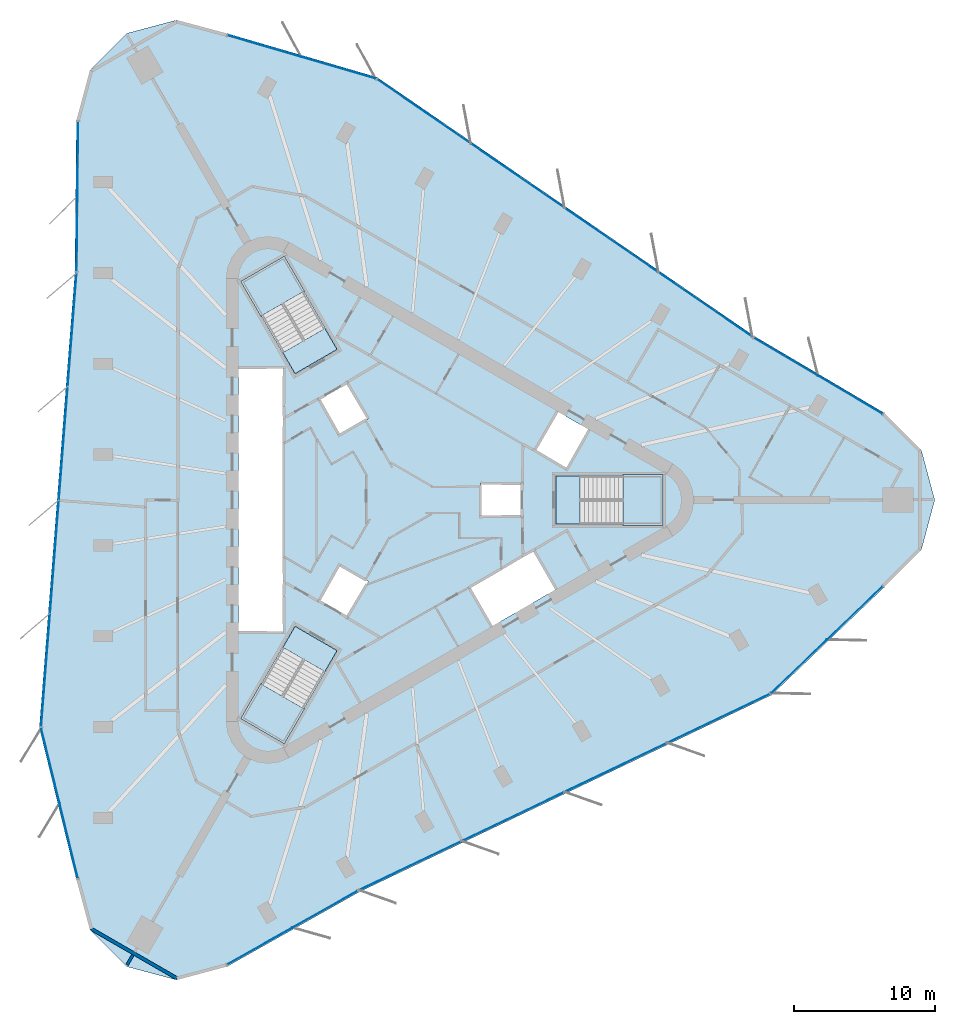
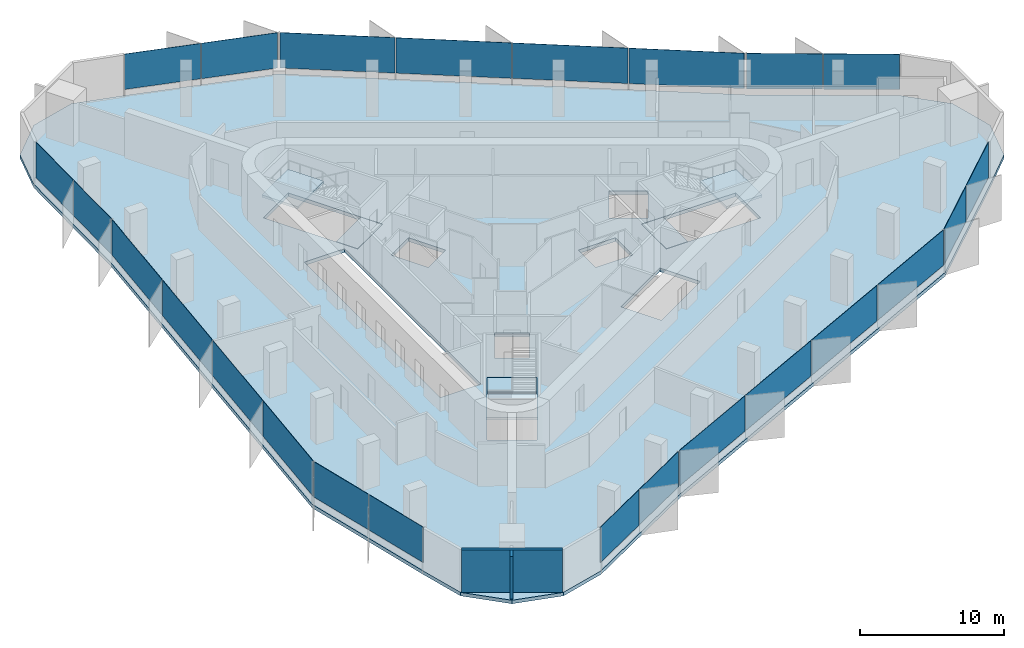
# One storey, part 7 of 14: 24 plates, 7 slabs, 2 walls, 12 elements without a shape of their own.
"""IFC4 building model written with IfcOpenShell, lengths in metres."""

import ifcopenshell
import ifcopenshell.guid

model = None  # the IFC model being written
_history = None  # IfcOwnerHistory: only IFC2X3 demands one
_inside = {}  # id of a spatial element -> (the spatial element, [elements in it])
_under = {}  # id of a project, library or spatial element -> (it, [spatial elements below it])
_declared = {}  # id of a project -> (the project, [libraries it declares])
_typed = {}  # id of a type object -> (the type object, [elements of that type])
_made_of = {}  # id of a material, layer set ... -> (it, [elements and type objects made of it])


def new_model(schema):
    """Start an empty IFC model of exactly this schema.

    Asked for "IFC4X3", IfcOpenShell would pick the latest addendum, in which some entities
    have other attributes; the version numbers below select the first issue.
    IFC2X3 requires an IfcOwnerHistory on every rooted entity: one is made here for all.
    """
    global model, _history
    if schema == "IFC4X3":
        model = ifcopenshell.file(schema_version=(4, 3, 0, 0))
    else:
        model = ifcopenshell.file(schema=schema)
    _inside.clear()
    _under.clear()
    _declared.clear()
    _typed.clear()
    _made_of.clear()
    _history = None
    if model.schema == "IFC2X3":
        org = make("IfcOrganization", Name="unknown")
        user = make(
            "IfcPersonAndOrganization",
            ThePerson=make("IfcPerson", FamilyName="unknown"),
            TheOrganization=org,
        )
        app = make(
            "IfcApplication",
            ApplicationDeveloper=org,
            Version="unknown",
            ApplicationFullName="unknown",
            ApplicationIdentifier="unknown",
        )
        _history = make(
            "IfcOwnerHistory",
            OwningUser=user,
            OwningApplication=app,
            ChangeAction="ADDED",
            CreationDate=0,
        )
    return model


def make(cls, **values):
    """One entity of the class cls with the attributes given. An attribute that is None is left unset."""
    return model.create_entity(
        cls, **{name: value for name, value in values.items() if value is not None}
    )


def rooted(cls, **values):
    """An entity with a GlobalId (a new one), such as an element, a storey or a relation."""
    return make(cls, GlobalId=ifcopenshell.guid.new(), OwnerHistory=_history, **values)


def si_unit(unit_type, name, prefix=None):
    """IfcSIUnit, for example si_unit("LENGTHUNIT", "METRE", prefix="MILLI")."""
    return make("IfcSIUnit", UnitType=unit_type, Prefix=prefix, Name=name)


def assignment(units):
    """IfcUnitAssignment: the units of a project."""
    return None if units is None else make("IfcUnitAssignment", Units=units)


def point(xyz):
    """IfcCartesianPoint."""
    return None if xyz is None else make("IfcCartesianPoint", Coordinates=xyz)


def direction(xyz):
    """IfcDirection."""
    return None if xyz is None else make("IfcDirection", DirectionRatios=xyz)


def frame(location, z_axis=None, x_axis=None):
    """IfcAxis2Placement3D, a coordinate frame: its origin and axes. An axis left out is left unset."""
    return make(
        "IfcAxis2Placement3D",
        Location=point(location),
        Axis=direction(z_axis),
        RefDirection=direction(x_axis),
    )


def frame_2d(location, x_axis=None):
    """IfcAxis2Placement2D, a coordinate frame in the plane: its origin and x axis."""
    return make(
        "IfcAxis2Placement2D", Location=point(location), RefDirection=direction(x_axis)
    )


def origin():
    """The frame at (0, 0, 0) with its axes left unset."""
    return frame((0.0, 0.0, 0.0))


def origin_2d():
    """The frame at (0, 0) in the plane with its x axis left unset."""
    return frame_2d((0.0, 0.0))


def place(relative_to, where):
    """IfcLocalPlacement: puts the frame where relative to a parent placement (None: the world)."""
    return make(
        "IfcLocalPlacement", PlacementRelTo=relative_to, RelativePlacement=where
    )


def context(
    kind, dimensions, precision=None, world=None, true_north=None, identifier=None
):
    """IfcGeometricRepresentationContext, for example the 3D "Model" context."""
    return make(
        "IfcGeometricRepresentationContext",
        ContextIdentifier=identifier,
        ContextType=kind,
        CoordinateSpaceDimension=dimensions,
        Precision=precision,
        WorldCoordinateSystem=world,
        TrueNorth=true_north,
    )


def subcontext(parent, identifier, kind, view, scale=None):
    """IfcGeometricRepresentationSubContext, for example "Body" below "Model"."""
    return make(
        "IfcGeometricRepresentationSubContext",
        ContextIdentifier=identifier,
        ContextType=kind,
        ParentContext=parent,
        TargetScale=scale,
        TargetView=view,
    )


def project(units=None, contexts=None):
    """IfcProject with its units and contexts."""
    return rooted(
        "IfcProject",
        Name="project",
        RepresentationContexts=contexts,
        UnitsInContext=assignment(units),
    )


def spatial(cls, under=None, at=None, **own):
    """A site, building, storey or space (cls), placed at a placement, below another one or the project."""
    s = rooted(cls, ObjectPlacement=at, **own)
    if under is not None:
        _under.setdefault(under.id(), (under, []))[1].append(s)
    return s


def polyline(points):
    """IfcPolyline through the points."""
    return make("IfcPolyline", Points=[point(p) for p in points])


def profile(cls, at=None, kind="AREA", **sizes):
    """A parametric profile (cls). Its sizes go by their IFC names, for example OverallWidth=200.0."""
    return make(cls, ProfileType=kind, Position=at, **sizes)


def rectangle(**sizes):
    """IfcRectangleProfileDef."""
    return profile("IfcRectangleProfileDef", **sizes)


def outline(outer, holes=None, kind="AREA"):
    """IfcArbitraryClosedProfileDef: a profile drawn as a closed curve; with holes, ...WithVoids."""
    if holes is None:
        return make("IfcArbitraryClosedProfileDef", ProfileType=kind, OuterCurve=outer)
    return make(
        "IfcArbitraryProfileDefWithVoids",
        ProfileType=kind,
        OuterCurve=outer,
        InnerCurves=holes,
    )


def extrude(swept, where, along, depth):
    """IfcExtrudedAreaSolid: the profile swept, set in the frame where, extruded along a direction by depth."""
    return make(
        "IfcExtrudedAreaSolid",
        SweptArea=swept,
        Position=where,
        ExtrudedDirection=direction(along),
        Depth=depth,
    )


def shape(context_of_items, identifier, shape_type, items):
    """IfcShapeRepresentation: the items that make up one representation, for example the "Body"."""
    return make(
        "IfcShapeRepresentation",
        ContextOfItems=context_of_items,
        RepresentationIdentifier=identifier,
        RepresentationType=shape_type,
        Items=items,
    )


def material(Name=None, Category=None):
    """IfcMaterial."""
    return make("IfcMaterial", Name=Name, Category=Category)


def layer(
    of_material, thickness, ventilated=None, Name=None, Category=None, Priority=None
):
    """IfcMaterialLayer: one layer of a wall or slab, of a material (None: an air gap)."""
    return make(
        "IfcMaterialLayer",
        Material=of_material,
        LayerThickness=thickness,
        IsVentilated=ventilated,
        Name=Name,
        Category=Category,
        Priority=Priority,
    )


def layer_set(layers, Name=None):
    """IfcMaterialLayerSet."""
    return make("IfcMaterialLayerSet", MaterialLayers=layers, LayerSetName=Name)


def made_of(thing, what):
    """Note that an element or type object is made of a material, layer set ...; save() writes the relation."""
    if what is not None:
        _made_of.setdefault(what.id(), (what, []))[1].append(thing)
    return thing


def type_object(cls, material=None, **own):
    """A type object (cls), such as IfcWallType, which elements share."""
    return made_of(rooted(cls, **own), material)


def element(
    cls,
    number,
    at=None,
    inside=None,
    cuts=None,
    type_object=None,
    material=None,
    context=None,
    identifier="Body",
    shape_type=None,
    held_by="IfcProductDefinitionShape",
    body=None,
    shapes=None,
    **own,
):
    """One element of the class cls, such as IfcWall. Its Tag is "e" and its number.

    at: its placement. inside: the storey or other place that contains it. cuts: it is an
    opening in that element (IfcRelVoidsElement). A single representation is given by context,
    identifier, shape_type and body (its items); several are given by shapes. held_by: the class
    of the entity that holds the representations. save() writes the other relations.
    """
    e = rooted(cls, Tag="e%d" % number, ObjectPlacement=at, **own)
    if body is not None:
        shapes = [shape(context, identifier, shape_type, body)]
    if shapes is not None:
        e.Representation = make(held_by, Representations=shapes)
    if inside is not None:
        _inside.setdefault(inside.id(), (inside, []))[1].append(e)
    if cuts is not None:
        rooted(
            "IfcRelVoidsElement", RelatingBuildingElement=cuts, RelatedOpeningElement=e
        )
    if type_object is not None:
        _typed.setdefault(type_object.id(), (type_object, []))[1].append(e)
    return made_of(e, material)


def aggregate(whole, parts):
    """IfcRelAggregates: a whole, such as a stair, and the parts it consists of."""
    return rooted("IfcRelAggregates", RelatingObject=whole, RelatedObjects=parts)


def save(model, path):
    """Write the relations noted so far, then the file.

    IfcRelAggregates (storeys below a building ...), IfcRelContainedInSpatialStructure (elements
    in a storey), IfcRelDefinesByType, IfcRelAssociatesMaterial and IfcRelDeclares: one each for
    every whole, place, type object, material and project.
    """
    for whole, parts in _under.values():
        aggregate(whole, parts)
    for where, things in _inside.values():
        rooted(
            "IfcRelContainedInSpatialStructure",
            RelatedElements=things,
            RelatingStructure=where,
        )
    for kind, things in _typed.values():
        rooted("IfcRelDefinesByType", RelatedObjects=things, RelatingType=kind)
    for what, things in _made_of.values():
        rooted("IfcRelAssociatesMaterial", RelatedObjects=things, RelatingMaterial=what)
    for by, libraries in _declared.values():
        rooted("IfcRelDeclares", RelatingContext=by, RelatedDefinitions=libraries)
    model.write(path)


model = new_model("IFC4")

# Units and contexts
model_context = context("Model", 3, precision=1e-05, world=origin(), true_north=direction((0.0, 1.0)))
body_context = subcontext(model_context, "Body", "Model", "MODEL_VIEW")
ifc_project = project(units=[si_unit("LENGTHUNIT", "METRE"), si_unit("AREAUNIT", "SQUARE_METRE"), si_unit("VOLUMEUNIT", "CUBIC_METRE"), si_unit("PLANEANGLEUNIT", "RADIAN"), si_unit("MASSUNIT", "GRAM", prefix="KILO")], contexts=[model_context])

# Site, building, storey
site_placement = place(None, origin())
site = spatial("IfcSite", under=ifc_project, at=site_placement, CompositionType="ELEMENT")
building_placement = place(site_placement, origin())
building = spatial("IfcBuilding", under=site, at=building_placement, Name="Tanit Gate Tower", CompositionType="ELEMENT")
storey_placement = place(building_placement, frame((0.0, 0.0, 306.5)))
storey = spatial("IfcBuildingStorey", under=building, at=storey_placement, Name="L68", CompositionType="ELEMENT", Elevation=306.5)

# Slab
ifc_material_1 = material(Name="Concrete C35/45", Category="concrete")
ifc_layer_1 = layer(ifc_material_1, 0.300048828125)
ifc_layer_set_1 = layer_set([ifc_layer_1], Name="FLOOR SLAB 300 C35/45")
slab_type_1 = type_object("IfcSlabType", Name="FLOOR SLAB 300 C35/45", PredefinedType="FLOOR", material=ifc_layer_set_1)
slab_1_placement = place(storey_placement, frame((0.0, 0.0, -0.300048828125)))
element("IfcSlab", 1, at=slab_1_placement, inside=storey, type_object=slab_type_1, Name="FLOOR SLAB L68", PredefinedType="FLOOR", context=body_context, shape_type="SweptSolid", body=[
    extrude(outline(polyline([(34.760498046875, 6.18359375), (37.3740234375, 3.570068359375), (38.330810546875, 0.0), (37.3740234375, -3.570068359375), (34.760498046875, -6.18359375), (26.7236328125, -13.87255859375), (-2.61328125, -27.887939453125), (-12.025146484375, -33.1953125), (-15.59521484375, -34.152099609375), (-19.165283203125, -33.1953125), (-21.77880859375, -30.581787109375), (-22.735595703125, -27.01171875), (-25.3759765625, -16.20703125), (-22.84521484375, 16.20703125), (-22.735595703125, 27.01171875), (-21.77880859375, 30.581787109375), (-19.165283203125, 33.1953125), (-15.59521484375, 34.152099609375), (-12.025146484375, 33.1953125), (-1.347900390625, 30.07958984375), (25.458251953125, 11.680908203125), (34.760498046875, 6.18359375)]), holes=[polyline([(11.3701171875, 1.72998046875), (18.929931640625, 1.72998046875), (18.929931640625, -1.72998046875), (11.3701171875, -1.72998046875), (11.3701171875, 1.72998046875)]), polyline([(12.158935546875, 2.159912109375), (9.82080078125, 3.510009765625), (11.44580078125, 6.324462890625), (13.783935546875, 4.974609375), (12.158935546875, 2.159912109375)]), polyline([(11.44580078125, -6.324462890625), (6.76904296875, -9.0244140625), (5.14404296875, -6.2099609375), (9.82080078125, -3.510009765625), (11.44580078125, -6.324462890625)]), polyline([(6.0, 1.199951171875), (9.0, 1.199951171875), (9.0, -1.199951171875), (6.0, -1.199951171875), (6.0, 1.199951171875)]), polyline([(-4.039306640625, 4.59619140625), (-5.539306640625, 7.194091796875), (-3.460693359375, 8.394287109375), (-1.960693359375, 5.796142578125), (-4.039306640625, 4.59619140625)]), polyline([(-1.960693359375, -5.796142578125), (-3.460693359375, -8.394287109375), (-5.539306640625, -7.194091796875), (-4.039306640625, -4.59619140625), (-1.960693359375, -5.796142578125)]), polyline([(-7.18310546875, 8.981689453125), (-10.963134765625, 15.52880859375), (-7.966796875, 17.2587890625), (-4.186767578125, 10.711669921875), (-7.18310546875, 8.981689453125)]), polyline([(-4.186767578125, -10.711669921875), (-7.966796875, -17.2587890625), (-10.963134765625, -15.52880859375), (-7.18310546875, -8.981689453125), (-4.186767578125, -10.711669921875)]), polyline([(-11.199951171875, -9.449951171875), (-11.199951171875, 9.449951171875), (-7.949951171875, 9.449951171875), (-7.949951171875, -9.449951171875), (-11.199951171875, -9.449951171875)])]), origin(), (0.0, 0.0, 1.0), 0.300048828125),
])

# Curtain wall, plates
ifc_material_2 = material(Name="Aluminium bronze anodised and glass", Category="aluminium")
curtain_wall_type = type_object("IfcCurtainWallType", Name="Curtain wall typical high", PredefinedType="NOTDEFINED", material=ifc_material_2)
curtain_wall_1_placement = place(storey_placement, origin())
curtain_wall_1 = element("IfcCurtainWall", 2, at=curtain_wall_1_placement, inside=storey, type_object=curtain_wall_type, Name="Curtain wall L68 NE1", PredefinedType="NOTDEFINED")
ifc_material_3 = material(Name="Glass tinted", Category="glass")
ifc_layer_2 = layer(ifc_material_3, 0.028076171875)
ifc_layer_set_2 = layer_set([ifc_layer_2], Name="Glass panel 28 typical high")
plate_type = type_object("IfcPlateType", Name="Glass panel 28 typical high", PredefinedType="CURTAIN_PANEL", material=ifc_layer_set_2)
plate_1_placement = place(storey_placement, frame((32.34619140625, 7.47119140625, 0.60009765625), z_axis=(0.0, 0.0, 1.0), x_axis=(-0.860908042644, 0.508760594103, 0.0)))
plate_1 = element("IfcPlate", 3, at=plate_1_placement, type_object=plate_type, Name="Glass panel L68 NE1.1", PredefinedType="CURTAIN_PANEL", context=body_context, shape_type="SweptSolid", body=[
    extrude(rectangle(XDim=5.277099609375, YDim=0.028076171875, at=origin_2d()), origin(), (0.0, 0.0, 1.0), 3.0),
])
plate_2_placement = place(storey_placement, frame((27.734130859375, 10.196533203125, 0.60009765625), z_axis=(0.0, 0.0, 1.0), x_axis=(-0.860908042644, 0.508760594103, 0.0)))
plate_2 = element("IfcPlate", 4, at=plate_2_placement, type_object=plate_type, Name="Glass panel L68 NE1.2", PredefinedType="CURTAIN_PANEL", context=body_context, shape_type="SweptSolid", body=[
    extrude(rectangle(XDim=5.277099609375, YDim=0.028076171875, at=origin_2d()), origin(), (0.0, 0.0, 1.0), 3.0),
])
aggregate(curtain_wall_1, [plate_1, plate_2])

curtain_wall_2_placement = place(storey_placement, origin())
curtain_wall_2 = element("IfcCurtainWall", 5, at=curtain_wall_2_placement, inside=storey, type_object=curtain_wall_type, Name="Curtain wall L68 NE2", PredefinedType="NOTDEFINED")
plate_3_placement = place(storey_placement, frame((22.019775390625, 13.8955078125, 0.60009765625), z_axis=(0.0, 0.0, 1.0), x_axis=(-0.824478578624, 0.56589316429, 0.0)))
plate_3 = element("IfcPlate", 6, at=plate_3_placement, type_object=plate_type, Name="Glass panel L68 NE2.1", PredefinedType="CURTAIN_PANEL", context=body_context, shape_type="SweptSolid", body=[
    extrude(rectangle(XDim=8.0244140625, YDim=0.028076171875, at=origin_2d()), origin(), (0.0, 0.0, 1.0), 3.0),
])
plate_4_placement = place(storey_placement, frame((15.337890625, 18.481689453125, 0.60009765625), z_axis=(0.0, 0.0, 1.0), x_axis=(-0.824478578624, 0.56589316429, 0.0)))
plate_4 = element("IfcPlate", 7, at=plate_4_placement, type_object=plate_type, Name="Glass panel L68 NE2.2", PredefinedType="CURTAIN_PANEL", context=body_context, shape_type="SweptSolid", body=[
    extrude(rectangle(XDim=8.0244140625, YDim=0.028076171875, at=origin_2d()), origin(), (0.0, 0.0, 1.0), 3.0),
])
plate_5_placement = place(storey_placement, frame((8.656005859375, 23.06787109375, 0.60009765625), z_axis=(0.0, 0.0, 1.0), x_axis=(-0.824478578624, 0.56589316429, 0.0)))
plate_5 = element("IfcPlate", 8, at=plate_5_placement, type_object=plate_type, Name="Glass panel L68 NE2.3", PredefinedType="CURTAIN_PANEL", context=body_context, shape_type="SweptSolid", body=[
    extrude(rectangle(XDim=8.0244140625, YDim=0.028076171875, at=origin_2d()), origin(), (0.0, 0.0, 1.0), 3.0),
])
plate_6_placement = place(storey_placement, frame((1.97412109375, 27.654052734375, 0.60009765625), z_axis=(0.0, 0.0, 1.0), x_axis=(-0.824478578624, 0.56589316429, 0.0)))
plate_6 = element("IfcPlate", 9, at=plate_6_placement, type_object=plate_type, Name="Glass panel L68 NE2.4", PredefinedType="CURTAIN_PANEL", context=body_context, shape_type="SweptSolid", body=[
    extrude(rectangle(XDim=8.0244140625, YDim=0.028076171875, at=origin_2d()), origin(), (0.0, 0.0, 1.0), 3.0),
])
aggregate(curtain_wall_2, [plate_3, plate_4, plate_5, plate_6])

curtain_wall_3_placement = place(storey_placement, origin())
curtain_wall_3 = element("IfcCurtainWall", 10, at=curtain_wall_3_placement, inside=storey, type_object=curtain_wall_type, Name="Curtain wall L68 NE3", PredefinedType="NOTDEFINED")
plate_7_placement = place(storey_placement, frame((-4.08349609375, 30.7529296875, 0.60009765625), z_axis=(0.0, 0.0, 1.0), x_axis=(-0.959963733303, 0.280124313015, 0.0)))
plate_7 = element("IfcPlate", 11, at=plate_7_placement, type_object=plate_type, Name="Glass panel L68 NE3.1", PredefinedType="CURTAIN_PANEL", context=body_context, shape_type="SweptSolid", body=[
    extrude(rectangle(XDim=5.43115234375, YDim=0.028076171875, at=origin_2d()), origin(), (0.0, 0.0, 1.0), 3.0),
])
plate_8_placement = place(storey_placement, frame((-9.373779296875, 32.296630859375, 0.60009765625), z_axis=(0.0, 0.0, 1.0), x_axis=(-0.959963733303, 0.280124313015, 0.0)))
plate_8 = element("IfcPlate", 12, at=plate_8_placement, type_object=plate_type, Name="Glass panel L68 NE3.2", PredefinedType="CURTAIN_PANEL", context=body_context, shape_type="SweptSolid", body=[
    extrude(rectangle(XDim=5.430908203125, YDim=0.028076171875, at=origin_2d()), origin(), (0.0, 0.0, 1.0), 3.0),
])
aggregate(curtain_wall_3, [plate_7, plate_8])

curtain_wall_4_placement = place(storey_placement, origin())
curtain_wall_4 = element("IfcCurtainWall", 13, at=curtain_wall_4_placement, inside=storey, type_object=curtain_wall_type, Name="Curtain wall L68 W1", PredefinedType="NOTDEFINED")
plate_9_placement = place(storey_placement, frame((-22.643310546875, 24.277099609375, 0.60009765625), z_axis=(0.0, 0.0, 1.0), x_axis=(-0.010145577616, -0.999948532303, 0.0)))
plate_9 = element("IfcPlate", 14, at=plate_9_placement, type_object=plate_type, Name="Glass panel L68 W1.1", PredefinedType="CURTAIN_PANEL", context=body_context, shape_type="SweptSolid", body=[
    extrude(rectangle(XDim=5.277099609375, YDim=0.028076171875, at=origin_2d()), origin(), (0.0, 0.0, 1.0), 3.0),
])
plate_10_placement = place(storey_placement, frame((-22.697509765625, 18.920166015625, 0.60009765625), z_axis=(0.0, 0.0, 1.0), x_axis=(-0.010145577616, -0.999948532303, 0.0)))
plate_10 = element("IfcPlate", 15, at=plate_10_placement, type_object=plate_type, Name="Glass panel L68 W1.2", PredefinedType="CURTAIN_PANEL", context=body_context, shape_type="SweptSolid", body=[
    extrude(rectangle(XDim=5.277099609375, YDim=0.028076171875, at=origin_2d()), origin(), (0.0, 0.0, 1.0), 3.0),
])
aggregate(curtain_wall_4, [plate_9, plate_10])

curtain_wall_5_placement = place(storey_placement, origin())
curtain_wall_5 = element("IfcCurtainWall", 16, at=curtain_wall_5_placement, inside=storey, type_object=curtain_wall_type, Name="Curtain wall L68 W2", PredefinedType="NOTDEFINED")
plate_11_placement = place(storey_placement, frame((-23.043701171875, 12.1220703125, 0.60009765625), z_axis=(0.0, 0.0, 1.0), x_axis=(-0.077838566791, -0.996965976109, 0.0)))
plate_11 = element("IfcPlate", 17, at=plate_11_placement, type_object=plate_type, Name="Glass panel L68 W2.1", PredefinedType="CURTAIN_PANEL", context=body_context, shape_type="SweptSolid", body=[
    extrude(rectangle(XDim=8.0244140625, YDim=0.028076171875, at=origin_2d()), origin(), (0.0, 0.0, 1.0), 3.0),
])
plate_12_placement = place(storey_placement, frame((-23.674560546875, 4.042236328125, 0.60009765625), z_axis=(0.0, 0.0, 1.0), x_axis=(-0.077838566791, -0.996965976109, 0.0)))
plate_12 = element("IfcPlate", 18, at=plate_12_placement, type_object=plate_type, Name="Glass panel L68 W2.2", PredefinedType="CURTAIN_PANEL", context=body_context, shape_type="SweptSolid", body=[
    extrude(rectangle(XDim=8.0244140625, YDim=0.028076171875, at=origin_2d()), origin(), (0.0, 0.0, 1.0), 3.0),
])
plate_13_placement = place(storey_placement, frame((-24.305419921875, -4.03759765625, 0.60009765625), z_axis=(0.0, 0.0, 1.0), x_axis=(-0.077838566791, -0.996965976109, 0.0)))
plate_13 = element("IfcPlate", 19, at=plate_13_placement, type_object=plate_type, Name="Glass panel L68 W2.3", PredefinedType="CURTAIN_PANEL", context=body_context, shape_type="SweptSolid", body=[
    extrude(rectangle(XDim=8.0244140625, YDim=0.028076171875, at=origin_2d()), origin(), (0.0, 0.0, 1.0), 3.0),
])
plate_14_placement = place(storey_placement, frame((-24.936279296875, -12.117431640625, 0.60009765625), z_axis=(0.0, 0.0, 1.0), x_axis=(-0.077838566791, -0.996965976109, 0.0)))
plate_14 = element("IfcPlate", 20, at=plate_14_placement, type_object=plate_type, Name="Glass panel L68 W2.4", PredefinedType="CURTAIN_PANEL", context=body_context, shape_type="SweptSolid", body=[
    extrude(rectangle(XDim=8.0244140625, YDim=0.028076171875, at=origin_2d()), origin(), (0.0, 0.0, 1.0), 3.0),
])
aggregate(curtain_wall_5, [plate_11, plate_12, plate_13, plate_14])

curtain_wall_6_placement = place(storey_placement, origin())
curtain_wall_6 = element("IfcCurtainWall", 21, at=curtain_wall_6_placement, inside=storey, type_object=curtain_wall_type, Name="Curtain wall L68 W3", PredefinedType="NOTDEFINED")
plate_15_placement = place(storey_placement, frame((-24.591064453125, -18.912841796875, 0.60009765625), z_axis=(0.0, 0.0, 1.0), x_axis=(0.237387095363, -0.97141513626, 0.0)))
plate_15 = element("IfcPlate", 22, at=plate_15_placement, type_object=plate_type, Name="Glass panel L68 W3.1", PredefinedType="CURTAIN_PANEL", context=body_context, shape_type="SweptSolid", body=[
    extrude(rectangle(XDim=5.43115234375, YDim=0.028076171875, at=origin_2d()), origin(), (0.0, 0.0, 1.0), 3.0),
])
plate_16_placement = place(storey_placement, frame((-23.282958984375, -24.266357421875, 0.60009765625), z_axis=(0.0, 0.0, 1.0), x_axis=(0.237387095363, -0.97141513626, 0.0)))
plate_16 = element("IfcPlate", 23, at=plate_16_placement, type_object=plate_type, Name="Glass panel L68 W3.2", PredefinedType="CURTAIN_PANEL", context=body_context, shape_type="SweptSolid", body=[
    extrude(rectangle(XDim=5.430908203125, YDim=0.028076171875, at=origin_2d()), origin(), (0.0, 0.0, 1.0), 3.0),
])
aggregate(curtain_wall_6, [plate_15, plate_16])

curtain_wall_7_placement = place(storey_placement, origin())
curtain_wall_7 = element("IfcCurtainWall", 24, at=curtain_wall_7_placement, inside=storey, type_object=curtain_wall_type, Name="Curtain wall L68 SE1", PredefinedType="NOTDEFINED")
plate_17_placement = place(storey_placement, frame((-9.702880859375, -31.748046875, 0.60009765625), z_axis=(0.0, 0.0, 1.0), x_axis=(0.871053620259, 0.4911879382, 0.0)))
plate_17 = element("IfcPlate", 25, at=plate_17_placement, type_object=plate_type, Name="Glass panel L68 SE1.1", PredefinedType="CURTAIN_PANEL", context=body_context, shape_type="SweptSolid", body=[
    extrude(rectangle(XDim=5.277099609375, YDim=0.028076171875, at=origin_2d()), origin(), (0.0, 0.0, 1.0), 3.0),
])
plate_18_placement = place(storey_placement, frame((-5.03662109375, -29.11669921875, 0.60009765625), z_axis=(0.0, 0.0, 1.0), x_axis=(0.871053620259, 0.4911879382, 0.0)))
plate_18 = element("IfcPlate", 26, at=plate_18_placement, type_object=plate_type, Name="Glass panel L68 SE1.2", PredefinedType="CURTAIN_PANEL", context=body_context, shape_type="SweptSolid", body=[
    extrude(rectangle(XDim=5.277099609375, YDim=0.028076171875, at=origin_2d()), origin(), (0.0, 0.0, 1.0), 3.0),
])
aggregate(curtain_wall_7, [plate_17, plate_18])

curtain_wall_8_placement = place(storey_placement, origin())
curtain_wall_8 = element("IfcCurtainWall", 27, at=curtain_wall_8_placement, inside=storey, type_object=curtain_wall_type, Name="Curtain wall L68 SE2", PredefinedType="NOTDEFINED")
plate_19_placement = place(storey_placement, frame((1.02392578125, -26.017333984375, 0.60009765625), z_axis=(0.0, 0.0, 1.0), x_axis=(0.902317145415, 0.431072811819, 0.0)))
plate_19 = element("IfcPlate", 28, at=plate_19_placement, type_object=plate_type, Name="Glass panel L68 SE2.1", PredefinedType="CURTAIN_PANEL", context=body_context, shape_type="SweptSolid", body=[
    extrude(rectangle(XDim=8.0244140625, YDim=0.028076171875, at=origin_2d()), origin(), (0.0, 0.0, 1.0), 3.0),
])
plate_20_placement = place(storey_placement, frame((8.336669921875, -22.52392578125, 0.60009765625), z_axis=(0.0, 0.0, 1.0), x_axis=(0.902317145415, 0.431072811819, 0.0)))
plate_20 = element("IfcPlate", 29, at=plate_20_placement, type_object=plate_type, Name="Glass panel L68 SE2.2", PredefinedType="CURTAIN_PANEL", context=body_context, shape_type="SweptSolid", body=[
    extrude(rectangle(XDim=8.0244140625, YDim=0.028076171875, at=origin_2d()), origin(), (0.0, 0.0, 1.0), 3.0),
])
plate_21_placement = place(storey_placement, frame((15.6494140625, -19.0302734375, 0.60009765625), z_axis=(0.0, 0.0, 1.0), x_axis=(0.902317145415, 0.431072811819, 0.0)))
plate_21 = element("IfcPlate", 30, at=plate_21_placement, type_object=plate_type, Name="Glass panel L68 SE2.3", PredefinedType="CURTAIN_PANEL", context=body_context, shape_type="SweptSolid", body=[
    extrude(rectangle(XDim=8.0244140625, YDim=0.028076171875, at=origin_2d()), origin(), (0.0, 0.0, 1.0), 3.0),
])
plate_22_placement = place(storey_placement, frame((22.962158203125, -15.53662109375, 0.60009765625), z_axis=(0.0, 0.0, 1.0), x_axis=(0.902317145415, 0.431072811819, 0.0)))
plate_22 = element("IfcPlate", 31, at=plate_22_placement, type_object=plate_type, Name="Glass panel L68 SE2.4", PredefinedType="CURTAIN_PANEL", context=body_context, shape_type="SweptSolid", body=[
    extrude(rectangle(XDim=8.0244140625, YDim=0.028076171875, at=origin_2d()), origin(), (0.0, 0.0, 1.0), 3.0),
])
aggregate(curtain_wall_8, [plate_19, plate_20, plate_21, plate_22])

curtain_wall_9_placement = place(storey_placement, origin())
curtain_wall_9 = element("IfcCurtainWall", 32, at=curtain_wall_9_placement, inside=storey, type_object=curtain_wall_type, Name="Curtain wall L68 SE3", PredefinedType="NOTDEFINED")
plate_23_placement = place(storey_placement, frame((28.674560546875, -11.840087890625, 0.60009765625), z_axis=(0.0, 0.0, 1.0), x_axis=(0.72257663794, 0.691290823245, 0.0)))
plate_23 = element("IfcPlate", 33, at=plate_23_placement, type_object=plate_type, Name="Glass panel L68 SE3.1", PredefinedType="CURTAIN_PANEL", context=body_context, shape_type="SweptSolid", body=[
    extrude(rectangle(XDim=5.43115234375, YDim=0.028076171875, at=origin_2d()), origin(), (0.0, 0.0, 1.0), 3.0),
])
plate_24_placement = place(storey_placement, frame((32.65673828125, -8.0302734375, 0.60009765625), z_axis=(0.0, 0.0, 1.0), x_axis=(0.72257663794, 0.691290823245, 0.0)))
plate_24 = element("IfcPlate", 34, at=plate_24_placement, type_object=plate_type, Name="Glass panel L68 SE3.2", PredefinedType="CURTAIN_PANEL", context=body_context, shape_type="SweptSolid", body=[
    extrude(rectangle(XDim=5.430908203125, YDim=0.028076171875, at=origin_2d()), origin(), (0.0, 0.0, 1.0), 3.0),
])
aggregate(curtain_wall_9, [plate_23, plate_24])

# Stair, slab
ifc_material_4 = material(Name="Concrete C40/50", Category="concrete")
stair_type = type_object("IfcStairType", Name="INT-STAIR-EXIT", PredefinedType="HALF_TURN_STAIR", material=ifc_material_4)
stair_1_placement = place(storey_placement, origin())
stair_1 = element("IfcStair", 35, at=stair_1_placement, inside=storey, type_object=stair_type, Name="L68 STAIR S1", PredefinedType="HALF_TURN_STAIR")
ifc_material_5 = material(Name="Concrete C40/50", Category="concrete")
ifc_layer_3 = layer(ifc_material_5, 0.199951171875)
ifc_layer_set_3 = layer_set([ifc_layer_3], Name="INT-STAIR-LANDING")
slab_type_2 = type_object("IfcSlabType", Name="INT-STAIR-LANDING", PredefinedType="LANDING", material=ifc_layer_set_3)
slab_2_placement = place(storey_placement, frame((0.0, 0.0, 1.75)))
slab_2 = element("IfcSlab", 36, at=slab_2_placement, type_object=slab_type_2, Name="S1 landing 1", PredefinedType="LANDING", context=body_context, shape_type="SweptSolid", body=[
    extrude(outline(polyline([(16.135986328125, -1.800048828125), (19.0, -1.800048828125), (19.0, 1.800048828125), (16.135986328125, 1.800048828125), (16.135986328125, -1.800048828125)])), origin(), (0.0, 0.0, 1.0), 0.199951171875),
])
aggregate(stair_1, [slab_2])

# Slab
slab_3_placement = place(storey_placement, frame((0.0, 0.0, -0.199951171875)))
element("IfcSlab", 37, at=slab_3_placement, inside=storey, type_object=slab_type_2, Name="S1 floor landing", PredefinedType="LANDING", context=body_context, shape_type="SweptSolid", body=[
    extrude(outline(polyline([(11.3798828125, -1.719970703125), (13.10498046875, -1.719970703125), (13.10498046875, 1.719970703125), (11.3798828125, 1.719970703125), (11.3798828125, -1.719970703125)])), origin(), (0.0, 0.0, 1.0), 0.199951171875),
])

# Stair, slab
stair_2_placement = place(storey_placement, origin())
stair_2 = element("IfcStair", 38, at=stair_2_placement, inside=storey, type_object=stair_type, Name="L68 STAIR S2", PredefinedType="HALF_TURN_STAIR")
slab_4_placement = place(storey_placement, frame((0.0, 0.0, 1.75)))
slab_4 = element("IfcSlab", 39, at=slab_4_placement, type_object=slab_type_2, Name="S2 landing 1", PredefinedType="LANDING", context=body_context, shape_type="SweptSolid", body=[
    extrude(outline(polyline([(-6.5078125, 14.871826171875), (-7.941162109375, 17.3544921875), (-11.058837890625, 15.554443359375), (-9.62548828125, 13.07177734375), (-6.5078125, 14.871826171875)])), origin(), (0.0, 0.0, 1.0), 0.199951171875),
])
aggregate(stair_2, [slab_4])

# Slab
slab_5_placement = place(storey_placement, frame((0.0, 0.0, -0.199951171875)))
element("IfcSlab", 40, at=slab_5_placement, inside=storey, type_object=slab_type_2, Name="S2 floor landing", PredefinedType="LANDING", context=body_context, shape_type="SweptSolid", body=[
    extrude(outline(polyline([(-4.200439453125, 10.71533203125), (-5.0625, 12.20849609375), (-8.04150390625, 10.48828125), (-7.179443359375, 8.995361328125), (-4.200439453125, 10.71533203125)])), origin(), (0.0, 0.0, 1.0), 0.199951171875),
])

# Stair, slab
stair_3_placement = place(storey_placement, origin())
stair_3 = element("IfcStair", 41, at=stair_3_placement, inside=storey, type_object=stair_type, Name="L68 STAIR S3", PredefinedType="HALF_TURN_STAIR")
slab_6_placement = place(storey_placement, frame((0.0, 0.0, 1.75)))
slab_6 = element("IfcSlab", 42, at=slab_6_placement, type_object=slab_type_2, Name="S3 landing 1", PredefinedType="LANDING", context=body_context, shape_type="SweptSolid", body=[
    extrude(outline(polyline([(-9.626953125, -13.07421875), (-11.058837890625, -15.554443359375), (-7.941162109375, -17.3544921875), (-6.509033203125, -14.874267578125), (-9.626953125, -13.07421875)])), origin(), (0.0, 0.0, 1.0), 0.199951171875),
])
aggregate(stair_3, [slab_6])

# Slab
slab_7_placement = place(storey_placement, frame((0.0, 0.0, -0.199951171875)))
element("IfcSlab", 43, at=slab_7_placement, inside=storey, type_object=slab_type_2, Name="S3 floor landing", PredefinedType="LANDING", context=body_context, shape_type="SweptSolid", body=[
    extrude(outline(polyline([(-7.179443359375, -8.995361328125), (-8.0419921875, -10.4892578125), (-5.06298828125, -12.209228515625), (-4.200439453125, -10.71533203125), (-7.179443359375, -8.995361328125)])), origin(), (0.0, 0.0, 1.0), 0.199951171875),
])

# Walls
ifc_material_6 = material(Name="Concrete C30/37 with bronze anodised aluminium cladding", Category="concrete")
ifc_layer_4 = layer(ifc_material_6, 0.239990234375)
ifc_layer_set_4 = layer_set([ifc_layer_4], Name="Facade wall bronze clad 240")
wall_type_1 = type_object("IfcWallType", Name="Facade wall bronze clad 240", PredefinedType="SOLIDWALL", material=ifc_layer_set_4)
wall_1_placement = place(storey_placement, frame((-21.67138671875, -30.519775390625, 0.0), z_axis=(0.0, 0.0, 1.0), x_axis=(0.866026812589, -0.499997559872, 0.0)))
element("IfcWall", 44, at=wall_1_placement, inside=storey, type_object=wall_type_1, Name="Bronze-clad facade wall L68 SW.arc2", PredefinedType="SOLIDWALL", context=body_context, shape_type="SweptSolid", body=[
    extrude(rectangle(XDim=7.01611328125, YDim=0.239990234375, at=frame_2d((3.508056640625, 0.0))), origin(), (0.0, 0.0, 1.0), 3.60009765625),
])
ifc_material_7 = material(Name="Fire-rated gypsum board partition")
ifc_layer_5 = layer(ifc_material_7, 0.199951171875)
ifc_layer_set_5 = layer_set([ifc_layer_5], Name="INT-WALL-COMPARTMENT")
wall_type_2 = type_object("IfcWallType", Name="INT-WALL-COMPARTMENT", PredefinedType="PARTITIONING", material=ifc_layer_set_5)
wall_2_placement = place(storey_placement, frame((-19.125244140625, -33.06591796875, 0.0), z_axis=(0.0, 0.0, 1.0), x_axis=(0.500052144805, 0.865995295874, 0.0)))
element("IfcWall", 45, at=wall_2_placement, inside=storey, type_object=wall_type_2, Name="Wall Compartment W113", PredefinedType="PARTITIONING", context=body_context, shape_type="SweptSolid", body=[
    extrude(rectangle(XDim=0.81201171875, YDim=0.199951171875, at=frame_2d((0.406005859375, 0.0))), origin(), (0.0, 0.0, 1.0), 3.60009765625),
])

save(model, "model.ifc")
